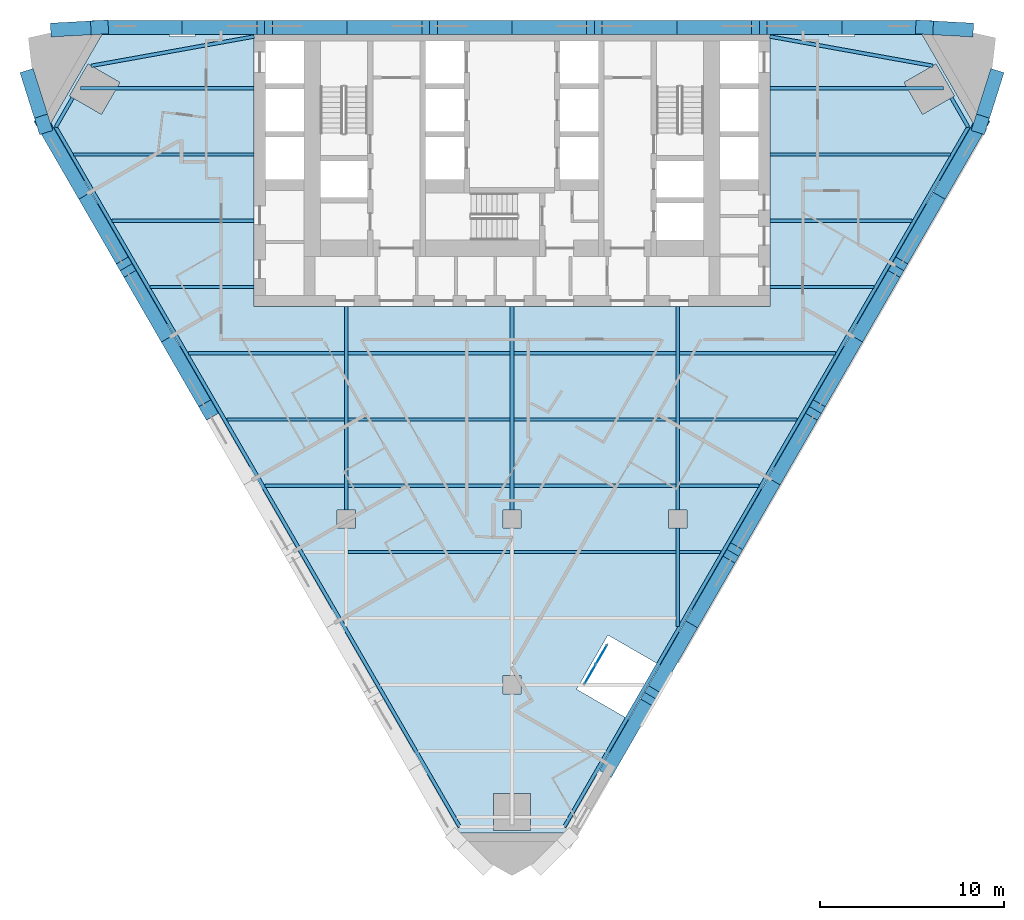
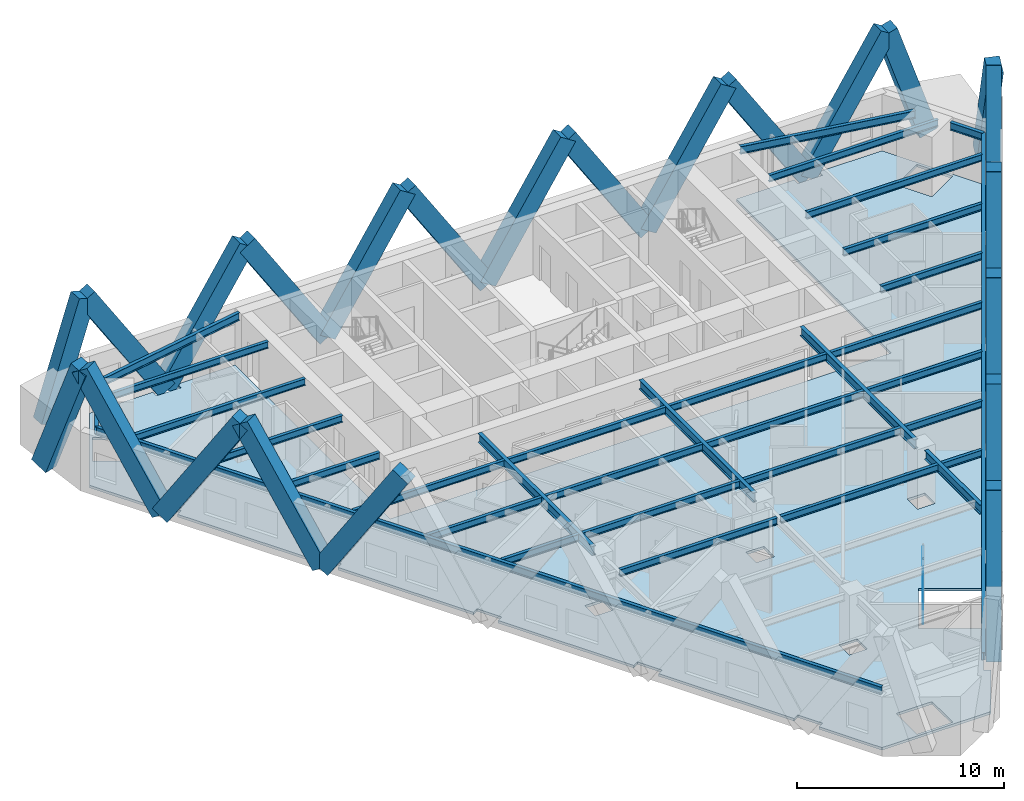
# One storey, part 3 of 12: 33 beams, 27 members, 4 plates, 1 slab, 1 element without a shape of its own.
"""IFC4 building model written with IfcOpenShell, lengths in metres."""

from ifc_helpers import new_model, si_unit, direction, frame, origin, origin_2d, place, context, subcontext, project, spatial, polyline, rectangle, i_section, outline, extrude, material, layer, layer_set, material_profile, profile_set, type_object, element, aggregate, save


model = new_model("IFC4")

# Units and contexts
model_context = context("Model", 3, precision=1e-05, world=origin(), true_north=direction((0.0, 1.0)))
body_context = subcontext(model_context, "Body", "Model", "MODEL_VIEW")
ifc_project = project(units=[si_unit("LENGTHUNIT", "METRE"), si_unit("AREAUNIT", "SQUARE_METRE"), si_unit("VOLUMEUNIT", "CUBIC_METRE"), si_unit("PLANEANGLEUNIT", "RADIAN"), si_unit("MASSUNIT", "GRAM", prefix="KILO")], contexts=[model_context])

# Site, building, storey
site_placement = place(None, origin())
site = spatial("IfcSite", under=ifc_project, at=site_placement, CompositionType="ELEMENT")
building_placement = place(site_placement, origin())
building = spatial("IfcBuilding", under=site, at=building_placement, Name="Aloe Facet Convention Tower", CompositionType="ELEMENT")
storey_placement = place(building_placement, frame((0.0, 0.0, 70.0)))
storey = spatial("IfcBuildingStorey", under=building, at=storey_placement, Name="L16", CompositionType="ELEMENT", Elevation=70.0)

# Beams
ifc_material_1 = material(Name="Steel S355", Category="steel")
ifc_material_profile_1 = material_profile(ifc_material_1, i_section(OverallWidth=0.177734375, OverallDepth=0.402587890625, WebThickness=0.0078125, FlangeThickness=0.010986328125, FilletRadius=0.01025390625, at=origin_2d()), Name="UB 406x178x54")
ifc_profile_set_1 = profile_set([ifc_material_profile_1], Name="Steel S355")
beam_type_1 = type_object("IfcBeamType", Name="SF-B-UB406x178x54", PredefinedType="BEAM", material=ifc_profile_set_1)
beam_1_placement = place(storey_placement, frame((56.194580078125, 127.800048828125, 3.148681640625), z_axis=(1.0, 0.0, 0.0), x_axis=(0.0, 1.0, 0.0)))
element("IfcBeam", 1, at=beam_1_placement, inside=storey, type_object=beam_type_1, Name="Floor beam FB-Z1B-016", PredefinedType="BEAM", context=body_context, shape_type="SweptSolid", body=[
    extrude(i_section(OverallWidth=0.177734375, OverallDepth=0.402587890625, WebThickness=0.0078125, FlangeThickness=0.010986328125, FilletRadius=0.01025390625, at=origin_2d()), origin(), (0.0, 0.0, 1.0), 9.805419921875),
])
beam_2_placement = place(storey_placement, frame((56.55908203125, 131.39990234375, 3.148681640625), z_axis=(1.0, 0.0, 0.0), x_axis=(0.0, 1.0, 0.0)))
element("IfcBeam", 2, at=beam_2_placement, inside=storey, type_object=beam_type_1, Name="Floor beam FB-Z1B-017", PredefinedType="BEAM", context=body_context, shape_type="SweptSolid", body=[
    extrude(i_section(OverallWidth=0.177734375, OverallDepth=0.402587890625, WebThickness=0.0078125, FlangeThickness=0.010986328125, FilletRadius=0.01025390625, at=origin_2d()), origin(), (0.0, 0.0, 1.0), 9.44091796875),
])
beam_3_placement = place(storey_placement, frame((58.27294921875, 124.199951171875, 3.148681640625), z_axis=(1.0, 0.0, 0.0), x_axis=(0.0, 1.0, 0.0)))
element("IfcBeam", 3, at=beam_3_placement, inside=storey, type_object=beam_type_1, Name="Floor beam FB-Z1B-018", PredefinedType="BEAM", context=body_context, shape_type="SweptSolid", body=[
    extrude(i_section(OverallWidth=0.177734375, OverallDepth=0.402587890625, WebThickness=0.0078125, FlangeThickness=0.010986328125, FilletRadius=0.01025390625, at=origin_2d()), origin(), (0.0, 0.0, 1.0), 7.72705078125),
])
beam_4_placement = place(storey_placement, frame((60.351318359375, 120.60009765625, 3.148681640625), z_axis=(1.0, 0.0, 0.0), x_axis=(0.0, 1.0, 0.0)))
element("IfcBeam", 4, at=beam_4_placement, inside=storey, type_object=beam_type_1, Name="Floor beam FB-Z1B-019", PredefinedType="BEAM", context=body_context, shape_type="SweptSolid", body=[
    extrude(i_section(OverallWidth=0.177734375, OverallDepth=0.402587890625, WebThickness=0.0078125, FlangeThickness=0.010986328125, FilletRadius=0.01025390625, at=origin_2d()), origin(), (0.0, 0.0, 1.0), 5.648681640625),
])
beam_5_placement = place(storey_placement, frame((62.429931640625, 117.0, 3.148681640625), z_axis=(1.0, 0.0, 0.0), x_axis=(0.0, 1.0, 0.0)))
element("IfcBeam", 5, at=beam_5_placement, inside=storey, type_object=beam_type_1, Name="Floor beam FB-Z1B-020", PredefinedType="BEAM", context=body_context, shape_type="SweptSolid", body=[
    extrude(i_section(OverallWidth=0.177734375, OverallDepth=0.402587890625, WebThickness=0.0078125, FlangeThickness=0.010986328125, FilletRadius=0.01025390625, at=origin_2d()), origin(), (0.0, 0.0, 1.0), 8.464599609375),
])
beam_6_placement = place(storey_placement, frame((64.50830078125, 113.39990234375, 3.148681640625), z_axis=(1.0, 0.0, 0.0), x_axis=(0.0, 1.0, 0.0)))
element("IfcBeam", 6, at=beam_6_placement, inside=storey, type_object=beam_type_1, Name="Floor beam FB-Z1B-021", PredefinedType="BEAM", context=body_context, shape_type="SweptSolid", body=[
    extrude(i_section(OverallWidth=0.177734375, OverallDepth=0.402587890625, WebThickness=0.0078125, FlangeThickness=0.010986328125, FilletRadius=0.01025390625, at=origin_2d()), origin(), (0.0, 0.0, 1.0), 6.38623046875),
])
beam_7_placement = place(storey_placement, frame((66.5869140625, 109.800048828125, 3.148681640625), z_axis=(1.0, 0.0, 0.0), x_axis=(0.0, 1.0, 0.0)))
element("IfcBeam", 7, at=beam_7_placement, inside=storey, type_object=beam_type_1, Name="Floor beam FB-Z1B-022", PredefinedType="BEAM", context=body_context, shape_type="SweptSolid", body=[
    extrude(i_section(OverallWidth=0.177734375, OverallDepth=0.402587890625, WebThickness=0.0078125, FlangeThickness=0.010986328125, FilletRadius=0.01025390625, at=origin_2d()), origin(), (0.0, 0.0, 1.0), 4.3076171875),
])
for number, where, z_axis, x_axis, name in (
    (8, (71.10546875, 106.199951171875, 3.148681640625), (1.0, 0.0, 0.0), (0.0, 1.0, 0.0), "Floor beam FB-Z1B-025"),
    (9, (71.10546875, 109.800048828125, 3.148681640625), (1.0, 0.0, 0.0), (0.0, 1.0, 0.0), "Floor beam FB-Z1B-026"),
    (10, (71.10546875, 113.39990234375, 3.148681640625), (1.0, 0.0, 0.0), (0.0, 1.0, 0.0), "Floor beam FB-Z1B-027"),
    (11, (71.10546875, 117.0, 3.148681640625), (1.0, 0.0, 0.0), (0.0, 1.0, 0.0), "Floor beam FB-Z1B-028"),
    (12, (80.10546875, 106.199951171875, 3.148681640625), (1.0, 0.0, 0.0), (0.0, 1.0, 0.0), "Floor beam FB-Z1B-035"),
    (13, (80.10546875, 109.800048828125, 3.148681640625), (1.0, 0.0, 0.0), (0.0, 1.0, 0.0), "Floor beam FB-Z1B-036"),
    (14, (80.10546875, 113.39990234375, 3.148681640625), (1.0, 0.0, 0.0), (0.0, 1.0, 0.0), "Floor beam FB-Z1B-037"),
    (15, (80.10546875, 117.0, 3.148681640625), (1.0, 0.0, 0.0), (0.0, 1.0, 0.0), "Floor beam FB-Z1B-038"),
):
    element("IfcBeam", number, at=place(storey_placement, frame(where, z_axis=z_axis, x_axis=x_axis)), inside=storey, type_object=beam_type_1, Name=name, PredefinedType="BEAM", context=body_context, shape_type="SweptSolid", body=[
        extrude(i_section(OverallWidth=0.177734375, OverallDepth=0.402587890625, WebThickness=0.0078125, FlangeThickness=0.010986328125, FilletRadius=0.01025390625, at=origin_2d()), origin(), (0.0, 0.0, 1.0), 8.7890625),
    ])
beam_8_placement = place(storey_placement, frame((89.10546875, 106.199951171875, 3.148681640625), z_axis=(1.0, 0.0, 0.0), x_axis=(0.0, 1.0, 0.0)))
element("IfcBeam", 16, at=beam_8_placement, inside=storey, type_object=beam_type_1, Name="Floor beam FB-Z1B-040", PredefinedType="BEAM", context=body_context, shape_type="SweptSolid", body=[
    extrude(i_section(OverallWidth=0.177734375, OverallDepth=0.402587890625, WebThickness=0.0078125, FlangeThickness=0.010986328125, FilletRadius=0.01025390625, at=origin_2d()), origin(), (0.0, 0.0, 1.0), 2.229248046875),
])
beam_9_placement = place(storey_placement, frame((89.10546875, 109.800048828125, 3.148681640625), z_axis=(1.0, 0.0, 0.0), x_axis=(0.0, 1.0, 0.0)))
element("IfcBeam", 17, at=beam_9_placement, inside=storey, type_object=beam_type_1, Name="Floor beam FB-Z1B-041", PredefinedType="BEAM", context=body_context, shape_type="SweptSolid", body=[
    extrude(i_section(OverallWidth=0.177734375, OverallDepth=0.402587890625, WebThickness=0.0078125, FlangeThickness=0.010986328125, FilletRadius=0.01025390625, at=origin_2d()), origin(), (0.0, 0.0, 1.0), 4.3076171875),
])
beam_10_placement = place(storey_placement, frame((89.10546875, 113.39990234375, 3.148681640625), z_axis=(1.0, 0.0, 0.0), x_axis=(0.0, 1.0, 0.0)))
element("IfcBeam", 18, at=beam_10_placement, inside=storey, type_object=beam_type_1, Name="Floor beam FB-Z1B-042", PredefinedType="BEAM", context=body_context, shape_type="SweptSolid", body=[
    extrude(i_section(OverallWidth=0.177734375, OverallDepth=0.402587890625, WebThickness=0.0078125, FlangeThickness=0.010986328125, FilletRadius=0.01025390625, at=origin_2d()), origin(), (0.0, 0.0, 1.0), 6.38623046875),
])
beam_11_placement = place(storey_placement, frame((89.10546875, 117.0, 3.148681640625), z_axis=(1.0, 0.0, 0.0), x_axis=(0.0, 1.0, 0.0)))
element("IfcBeam", 19, at=beam_11_placement, inside=storey, type_object=beam_type_1, Name="Floor beam FB-Z1B-043", PredefinedType="BEAM", context=body_context, shape_type="SweptSolid", body=[
    extrude(i_section(OverallWidth=0.177734375, OverallDepth=0.402587890625, WebThickness=0.0078125, FlangeThickness=0.010986328125, FilletRadius=0.01025390625, at=origin_2d()), origin(), (0.0, 0.0, 1.0), 8.464599609375),
])
beam_12_placement = place(storey_placement, frame((94.0, 120.60009765625, 3.148681640625), z_axis=(1.0, 0.0, 0.0), x_axis=(0.0, 1.0, 0.0)))
element("IfcBeam", 20, at=beam_12_placement, inside=storey, type_object=beam_type_1, Name="Floor beam FB-Z1B-044", PredefinedType="BEAM", context=body_context, shape_type="SweptSolid", body=[
    extrude(i_section(OverallWidth=0.177734375, OverallDepth=0.402587890625, WebThickness=0.0078125, FlangeThickness=0.010986328125, FilletRadius=0.01025390625, at=origin_2d()), origin(), (0.0, 0.0, 1.0), 5.648681640625),
])
beam_13_placement = place(storey_placement, frame((94.0, 124.199951171875, 3.148681640625), z_axis=(1.0, 0.0, 0.0), x_axis=(0.0, 1.0, 0.0)))
element("IfcBeam", 21, at=beam_13_placement, inside=storey, type_object=beam_type_1, Name="Floor beam FB-Z1B-045", PredefinedType="BEAM", context=body_context, shape_type="SweptSolid", body=[
    extrude(i_section(OverallWidth=0.177734375, OverallDepth=0.402587890625, WebThickness=0.0078125, FlangeThickness=0.010986328125, FilletRadius=0.01025390625, at=origin_2d()), origin(), (0.0, 0.0, 1.0), 7.72705078125),
])
beam_14_placement = place(storey_placement, frame((94.0, 127.800048828125, 3.148681640625), z_axis=(1.0, 0.0, 0.0), x_axis=(0.0, 1.0, 0.0)))
element("IfcBeam", 22, at=beam_14_placement, inside=storey, type_object=beam_type_1, Name="Floor beam FB-Z1B-046", PredefinedType="BEAM", context=body_context, shape_type="SweptSolid", body=[
    extrude(i_section(OverallWidth=0.177734375, OverallDepth=0.402587890625, WebThickness=0.0078125, FlangeThickness=0.010986328125, FilletRadius=0.01025390625, at=origin_2d()), origin(), (0.0, 0.0, 1.0), 9.805419921875),
])
beam_15_placement = place(storey_placement, frame((94.0, 131.39990234375, 3.148681640625), z_axis=(1.0, 0.0, 0.0), x_axis=(0.0, 1.0, 0.0)))
element("IfcBeam", 23, at=beam_15_placement, inside=storey, type_object=beam_type_1, Name="Floor beam FB-Z1B-047", PredefinedType="BEAM", context=body_context, shape_type="SweptSolid", body=[
    extrude(i_section(OverallWidth=0.177734375, OverallDepth=0.402587890625, WebThickness=0.0078125, FlangeThickness=0.010986328125, FilletRadius=0.01025390625, at=origin_2d()), origin(), (0.0, 0.0, 1.0), 9.44091796875),
])
ifc_material_2 = material(Name="Steel S355", Category="steel")
ifc_material_profile_2 = material_profile(ifc_material_2, i_section(OverallWidth=0.18994140625, OverallDepth=0.453369140625, WebThickness=0.008544921875, FlangeThickness=0.0126953125, FilletRadius=0.01025390625, at=origin_2d()), Name="UB 457x191x67")
ifc_profile_set_2 = profile_set([ifc_material_profile_2], Name="Steel S355")
beam_type_2 = type_object("IfcBeamType", Name="SF-B-UB457x191x67", PredefinedType="BEAM", material=ifc_profile_set_2)
beam_16_placement = place(storey_placement, frame((55.218017578125, 129.2841796875, 3.123291015625), z_axis=(0.499932904579, 0.866064137879, 0.0), x_axis=(-0.866064137879, 0.499932904579, 0.0)))
element("IfcBeam", 24, at=beam_16_placement, inside=storey, type_object=beam_type_2, Name="Floor beam FB-Z1B-001", PredefinedType="BEAM", context=body_context, shape_type="SweptSolid", body=[
    extrude(i_section(OverallWidth=0.18994140625, OverallDepth=0.453369140625, WebThickness=0.008544921875, FlangeThickness=0.0126953125, FilletRadius=0.01025390625, at=origin_2d()), origin(), (0.0, 0.0, 1.0), 1.841064453125),
])
beam_17_placement = place(storey_placement, frame((57.138427734375, 132.610595703125, 3.123291015625), z_axis=(0.984194951593, 0.177088388265, 0.0), x_axis=(-0.177088388265, 0.984194951593, 0.0)))
element("IfcBeam", 25, at=beam_17_placement, inside=storey, type_object=beam_type_2, Name="Floor beam FB-Z1B-002", PredefinedType="BEAM", context=body_context, shape_type="SweptSolid", body=[
    extrude(i_section(OverallWidth=0.18994140625, OverallDepth=0.453369140625, WebThickness=0.008544921875, FlangeThickness=0.0126953125, FilletRadius=0.01025390625, at=origin_2d()), origin(), (0.0, 0.0, 1.0), 9.00390625),
])
beam_18_placement = place(storey_placement, frame((77.158935546875, 91.28125, 3.123291015625), z_axis=(-0.499998569178, 0.866026229868, 0.0), x_axis=(-0.866026229868, -0.499998569178, 0.0)))
element("IfcBeam", 26, at=beam_18_placement, inside=storey, type_object=beam_type_2, Name="Floor beam FB-Z1B-003", PredefinedType="BEAM", context=body_context, shape_type="SweptSolid", body=[
    extrude(i_section(OverallWidth=0.18994140625, OverallDepth=0.453369140625, WebThickness=0.008544921875, FlangeThickness=0.0126953125, FilletRadius=0.01025390625, at=origin_2d()), origin(), (0.0, 0.0, 1.0), 43.882080078125),
])
beam_19_placement = place(storey_placement, frame((102.861572265625, 132.610595703125, 3.123291015625), z_axis=(-0.984194951593, 0.177088388265, 0.0), x_axis=(-0.177088388265, -0.984194951593, 0.0)))
element("IfcBeam", 27, at=beam_19_placement, inside=storey, type_object=beam_type_2, Name="Floor beam FB-Z1B-006", PredefinedType="BEAM", context=body_context, shape_type="SweptSolid", body=[
    extrude(i_section(OverallWidth=0.18994140625, OverallDepth=0.453369140625, WebThickness=0.008544921875, FlangeThickness=0.0126953125, FilletRadius=0.01025390625, at=origin_2d()), origin(), (0.0, 0.0, 1.0), 9.00390625),
])
beam_20_placement = place(storey_placement, frame((103.861572265625, 130.878662109375, 3.123291015625), z_axis=(0.499932904579, -0.866064137879, 0.0), x_axis=(0.866064137879, 0.499932904579, 0.0)))
element("IfcBeam", 28, at=beam_20_placement, inside=storey, type_object=beam_type_2, Name="Floor beam FB-Z1B-007", PredefinedType="BEAM", context=body_context, shape_type="SweptSolid", body=[
    extrude(i_section(OverallWidth=0.18994140625, OverallDepth=0.453369140625, WebThickness=0.008544921875, FlangeThickness=0.0126953125, FilletRadius=0.01025390625, at=origin_2d()), origin(), (0.0, 0.0, 1.0), 1.841064453125),
])
beam_21_placement = place(storey_placement, frame((104.781982421875, 129.2841796875, 3.123291015625), z_axis=(-0.499998569178, -0.866026229868, 0.0), x_axis=(0.866026229868, -0.499998569178, 0.0)))
element("IfcBeam", 29, at=beam_21_placement, inside=storey, type_object=beam_type_2, Name="Floor beam FB-Z1B-008", PredefinedType="BEAM", context=body_context, shape_type="SweptSolid", body=[
    extrude(i_section(OverallWidth=0.18994140625, OverallDepth=0.453369140625, WebThickness=0.008544921875, FlangeThickness=0.0126953125, FilletRadius=0.01025390625, at=origin_2d()), origin(), (0.0, 0.0, 1.0), 43.882080078125),
])
ifc_material_3 = material(Name="Steel S355", Category="steel")
ifc_material_profile_3 = material_profile(ifc_material_3, i_section(OverallWidth=0.210693359375, OverallDepth=0.53955078125, WebThickness=0.01171875, FlangeThickness=0.018798828125, FilletRadius=0.0126953125, at=origin_2d()), Name="UB 533x210x109")
ifc_profile_set_3 = profile_set([ifc_material_profile_3], Name="Steel S355")
beam_type_3 = type_object("IfcBeamType", Name="SF-B-UB533x210x109", PredefinedType="BEAM", material=ifc_profile_set_3)
for number, where, z_axis, x_axis, name in (
    (30, (71.0, 119.550048828125, 3.080078125), (0.0, -1.0, 0.0), (1.0, 0.0, 0.0), "Floor beam FB-Z1B-010"),
    (31, (80.0, 119.550048828125, 3.080078125), (0.0, -1.0, 0.0), (1.0, 0.0, 0.0), "Floor beam FB-Z1B-013"),
):
    element("IfcBeam", number, at=place(storey_placement, frame(where, z_axis=z_axis, x_axis=x_axis)), inside=storey, type_object=beam_type_3, Name=name, PredefinedType="BEAM", context=body_context, shape_type="SweptSolid", body=[
        extrude(i_section(OverallWidth=0.210693359375, OverallDepth=0.53955078125, WebThickness=0.01171875, FlangeThickness=0.018798828125, FilletRadius=0.0126953125, at=origin_2d()), origin(), (0.0, 0.0, 1.0), 11.050048828125),
    ])
beam_22_placement = place(storey_placement, frame((89.0, 107.5, 3.080078125), z_axis=(0.0, -1.0, 0.0), x_axis=(1.0, 0.0, 0.0)))
element("IfcBeam", 32, at=beam_22_placement, inside=storey, type_object=beam_type_3, Name="Floor beam FB-Z1B-014", PredefinedType="BEAM", context=body_context, shape_type="SweptSolid", body=[
    extrude(i_section(OverallWidth=0.210693359375, OverallDepth=0.53955078125, WebThickness=0.01171875, FlangeThickness=0.018798828125, FilletRadius=0.0126953125, at=origin_2d()), origin(), (0.0, 0.0, 1.0), 5.351318359375),
])
beam_23_placement = place(storey_placement, frame((89.0, 119.550048828125, 3.080078125), z_axis=(0.0, -1.0, 0.0), x_axis=(1.0, 0.0, 0.0)))
element("IfcBeam", 33, at=beam_23_placement, inside=storey, type_object=beam_type_3, Name="Floor beam FB-Z1B-015", PredefinedType="BEAM", context=body_context, shape_type="SweptSolid", body=[
    extrude(i_section(OverallWidth=0.210693359375, OverallDepth=0.53955078125, WebThickness=0.01171875, FlangeThickness=0.018798828125, FilletRadius=0.0126953125, at=origin_2d()), origin(), (0.0, 0.0, 1.0), 11.050048828125),
])

# Members
ifc_material_4 = material(Name="Concrete C60/75, bronze oxide finish", Category="concrete")
ifc_material_profile_4 = material_profile(ifc_material_4, rectangle(XDim=0.75, YDim=1.0, at=origin_2d()), Name="STW-LM")
ifc_profile_set_4 = profile_set([ifc_material_profile_4], Name="Concrete C60/75, bronze oxide finish")
member_type = type_object("IfcMemberType", Name="STW-LM", PredefinedType="BRACE", material=ifc_profile_set_4)
for number, where, z_axis, x_axis, name in (
    (34, (97.919921875, 134.699951171875, 0.0), (0.539052029218, 0.0, 0.84227246767), (0.0, 1.0, 0.0), "Lattice member LM-Z1-F1-R5-01"),
    (35, (97.919921875, 134.699951171875, 0.0), (-0.539052029218, 0.0, 0.84227246767), (0.0, -1.0, 0.0), "Lattice member LM-Z1-F1-R5-02"),
    (36, (88.9599609375, 134.699951171875, 0.0), (0.539052029218, 0.0, 0.84227246767), (0.0, 1.0, 0.0), "Lattice member LM-Z1-F1-R5-03"),
    (37, (88.9599609375, 134.699951171875, 0.0), (-0.539052029218, 0.0, 0.84227246767), (0.0, -1.0, 0.0), "Lattice member LM-Z1-F1-R5-04"),
    (38, (80.0, 134.699951171875, 0.0), (0.539052029218, 0.0, 0.84227246767), (0.0, 1.0, 0.0), "Lattice member LM-Z1-F1-R5-05"),
    (39, (80.0, 134.699951171875, 0.0), (-0.539052029218, 0.0, 0.84227246767), (0.0, -1.0, 0.0), "Lattice member LM-Z1-F1-R5-06"),
    (40, (71.0400390625, 134.699951171875, 0.0), (0.539052029218, 0.0, 0.84227246767), (0.0, 1.0, 0.0), "Lattice member LM-Z1-F1-R5-07"),
    (41, (71.0400390625, 134.699951171875, 0.0), (-0.539052029218, 0.0, 0.84227246767), (0.0, -1.0, 0.0), "Lattice member LM-Z1-F1-R5-08"),
    (42, (62.080078125, 134.699951171875, 0.0), (0.539052029218, 0.0, 0.84227246767), (0.0, 1.0, 0.0), "Lattice member LM-Z1-F1-R5-09"),
    (43, (62.080078125, 134.699951171875, 0.0), (-0.539052029218, 0.0, 0.84227246767), (0.0, -1.0, 0.0), "Lattice member LM-Z1-F1-R5-10"),
    (44, (56.7998046875, 125.554443359375, 0.0), (-0.269524411036, 0.466842718276, 0.842267456482), (-0.866031314237, -0.499989762656, 0.0), "Lattice member LM-Z1-F2-R5-01"),
    (45, (56.7998046875, 125.554443359375, 0.0), (0.269524411036, -0.466842718276, 0.842267456482), (0.866031314237, 0.499989762656, 0.0), "Lattice member LM-Z1-F2-R5-02"),
    (46, (61.27978515625, 117.794921875, 0.0), (-0.26952810724, 0.466819744104, 0.842279007171), (-0.866017690131, -0.500013360201, 0.0), "Lattice member LM-Z1-F2-R5-03"),
    (47, (61.27978515625, 117.794921875, 0.0), (0.269524411036, -0.466842718276, 0.842267456482), (0.866031314237, 0.499989762656, 0.0), "Lattice member LM-Z1-F2-R5-04"),
    (48, (85.2802734375, 94.51611328125, 0.0), (0.269524411036, 0.466842718276, 0.842267456482), (-0.866031314237, 0.499989762656, 0.0), "Lattice member LM-Z1-F3-R5-02"),
    (49, (89.76025390625, 102.275634765625, 0.0), (-0.26952810724, -0.466819744104, 0.842279007171), (0.866017690131, -0.500013360201, 0.0), "Lattice member LM-Z1-F3-R5-03"),
    (50, (89.76025390625, 102.275634765625, 0.0), (0.269524411036, 0.466842718276, 0.842267456482), (-0.866031314237, 0.499989762656, 0.0), "Lattice member LM-Z1-F3-R5-04"),
    (51, (94.240234375, 110.03515625, 0.0), (-0.26952810724, -0.466819744104, 0.842279007171), (0.866017690131, -0.500013360201, 0.0), "Lattice member LM-Z1-F3-R5-05"),
    (52, (94.240234375, 110.03515625, 0.0), (0.269524411036, 0.466842718276, 0.842267456482), (-0.866031314237, 0.499989762656, 0.0), "Lattice member LM-Z1-F3-R5-06"),
    (53, (98.72021484375, 117.794921875, 0.0), (-0.269524411036, -0.466842718276, 0.842267456482), (0.866031314237, -0.499989762656, 0.0), "Lattice member LM-Z1-F3-R5-07"),
    (54, (98.72021484375, 117.794921875, 0.0), (0.26952810724, 0.466819744104, 0.842279007171), (-0.866017690131, 0.500013360201, 0.0), "Lattice member LM-Z1-F3-R5-08"),
    (55, (103.2001953125, 125.554443359375, 0.0), (-0.269524411036, -0.466842718276, 0.842267456482), (0.866031314237, -0.499989762656, 0.0), "Lattice member LM-Z1-F3-R5-09"),
    (56, (103.2001953125, 125.554443359375, 0.0), (0.269524411036, 0.466842718276, 0.842267456482), (-0.866031314237, 0.499989762656, 0.0), "Lattice member LM-Z1-F3-R5-10"),
):
    element("IfcMember", number, at=place(storey_placement, frame(where, z_axis=z_axis, x_axis=x_axis)), inside=storey, type_object=member_type, Name=name, PredefinedType="BRACE", context=body_context, shape_type="SweptSolid", body=[
        extrude(rectangle(XDim=0.75, YDim=1.0, at=origin_2d()), origin(), (0.0, 0.0, 1.0), 8.310791015625),
    ])
member_1_placement = place(storey_placement, frame((106.2236328125, 131.90478515625, 0.095703125), z_axis=(-0.106234388345, -0.334990893007, 0.93621330707), x_axis=(0.953216073686, -0.30228978955, 0.0)))
element("IfcMember", 57, at=member_1_placement, inside=storey, type_object=member_type, Name="Lattice member LM-Z1-F6-R4-05", PredefinedType="BRACE", context=body_context, shape_type="SweptSolid", body=[
    extrude(rectangle(XDim=0.75, YDim=1.0, at=origin_2d()), origin(), (0.0, 0.0, 1.0), 7.374755859375),
])
for number, where, z_axis, x_axis, name in (
    (58, (104.580078125, 134.579345703125, 0.406005859375), (-0.313869947031, 0.017363018346, 0.949307211573), (-0.055234698656, -0.998473398777, 0.0), "Lattice member LM-Z1-F6-R4-06"),
    (59, (55.419921875, 134.579345703125, 0.406005859375), (0.313869947031, 0.017363018346, 0.949307211573), (-0.055234698656, 0.998473398777, 0.0), "Lattice member LM-Z1-F4-R4-05"),
):
    element("IfcMember", number, at=place(storey_placement, frame(where, z_axis=z_axis, x_axis=x_axis)), inside=storey, type_object=member_type, Name=name, PredefinedType="BRACE", context=body_context, shape_type="SweptSolid", body=[
        extrude(rectangle(XDim=0.75, YDim=1.0, at=origin_2d()), origin(), (0.0, 0.0, 1.0), 6.946044921875),
    ])
member_2_placement = place(storey_placement, frame((53.7763671875, 131.90478515625, 0.095703125), z_axis=(0.106234388345, -0.334990893007, 0.93621330707), x_axis=(0.953216073686, 0.30228978955, 0.0)))
element("IfcMember", 60, at=member_2_placement, inside=storey, type_object=member_type, Name="Lattice member LM-Z1-F4-R4-06", PredefinedType="BRACE", context=body_context, shape_type="SweptSolid", body=[
    extrude(rectangle(XDim=0.75, YDim=1.0, at=origin_2d()), origin(), (0.0, 0.0, 1.0), 7.374755859375),
])

# Curtain wall, plates
ifc_material_5 = material(Name="Aluminium, anodised", Category="aluminium")
curtain_wall_type = type_object("IfcCurtainWallType", Name="EV-CW-TERRACE", PredefinedType="USERDEFINED", material=ifc_material_5)
curtain_wall_placement = place(storey_placement, origin())
curtain_wall = element("IfcCurtainWall", 61, at=curtain_wall_placement, inside=storey, type_object=curtain_wall_type, Name="CW-T03", ObjectType="TERRACE BACK GLAZING", PredefinedType="USERDEFINED")
ifc_material_6 = material(Name="Clear double glazing", Category="glass")
ifc_layer_1 = layer(ifc_material_6, 0.028076171875)
ifc_layer_set_1 = layer_set([ifc_layer_1], Name="EV-PANEL-TERRACE")
plate_type = type_object("IfcPlateType", Name="EV-PANEL-TERRACE", PredefinedType="CURTAIN_PANEL", material=ifc_layer_set_1)
plate_1_placement = place(storey_placement, frame((84.2490234375, 99.580078125, -0.08984375), z_axis=(0.0, 0.0, 1.0), x_axis=(0.500000000076, 0.866025403741, 0.0)))
plate_1 = element("IfcPlate", 62, at=plate_1_placement, type_object=plate_type, Name="CW-T03 panel 1.1", PredefinedType="CURTAIN_PANEL", context=body_context, shape_type="SweptSolid", body=[
    extrude(rectangle(XDim=1.159912109375, YDim=0.028076171875, at=origin_2d()), origin(), (0.0, 0.0, 1.0), 1.458740234375),
])
plate_2_placement = place(storey_placement, frame((84.2490234375, 99.580078125, 1.4287109375), z_axis=(0.0, 0.0, 1.0), x_axis=(0.500000000076, 0.866025403741, 0.0)))
plate_2 = element("IfcPlate", 63, at=plate_2_placement, type_object=plate_type, Name="CW-T03 panel 1.2", PredefinedType="CURTAIN_PANEL", context=body_context, shape_type="SweptSolid", body=[
    extrude(rectangle(XDim=1.159912109375, YDim=0.028076171875, at=origin_2d()), origin(), (0.0, 0.0, 1.0), 1.458740234375),
])
plate_3_placement = place(storey_placement, frame((84.859130859375, 100.63671875, -0.08984375), z_axis=(0.0, 0.0, 1.0), x_axis=(0.500000000076, 0.866025403741, 0.0)))
plate_3 = element("IfcPlate", 64, at=plate_3_placement, type_object=plate_type, Name="CW-T03 panel 2.1", PredefinedType="CURTAIN_PANEL", context=body_context, shape_type="SweptSolid", body=[
    extrude(rectangle(XDim=1.159912109375, YDim=0.028076171875, at=origin_2d()), origin(), (0.0, 0.0, 1.0), 1.458740234375),
])
plate_4_placement = place(storey_placement, frame((84.859130859375, 100.63671875, 1.4287109375), z_axis=(0.0, 0.0, 1.0), x_axis=(0.500000000076, 0.866025403741, 0.0)))
plate_4 = element("IfcPlate", 65, at=plate_4_placement, type_object=plate_type, Name="CW-T03 panel 2.2", PredefinedType="CURTAIN_PANEL", context=body_context, shape_type="SweptSolid", body=[
    extrude(rectangle(XDim=1.159912109375, YDim=0.028076171875, at=origin_2d()), origin(), (0.0, 0.0, 1.0), 1.458740234375),
])
aggregate(curtain_wall, [plate_1, plate_2, plate_3, plate_4])

# Slab
ifc_material_7 = material(Name="Concrete C35/45", Category="concrete")
ifc_layer_2 = layer(ifc_material_7, 0.14990234375)
ifc_layer_set_2 = layer_set([ifc_layer_2], Name="SF-FS-150")
slab_type = type_object("IfcSlabType", Name="SF-FS-150", PredefinedType="FLOOR", material=ifc_layer_set_2)
slab_placement = place(storey_placement, frame((0.0, 0.0, -0.14990234375)))
element("IfcSlab", 66, at=slab_placement, inside=storey, type_object=slab_type, Name="Floor slab L16-1", PredefinedType="FLOOR", context=body_context, shape_type="SweptSolid", body=[
    extrude(outline(polyline([(76.959716796875, 90.936279296875), (75.194580078125, 93.993896484375), (75.49755859375, 94.168701171875), (75.03564453125, 94.968994140625), (74.80810546875, 95.36328125), (74.5048828125, 95.188232421875), (70.714599609375, 101.75341796875), (71.017578125, 101.928466796875), (70.59326171875, 102.66357421875), (70.327880859375, 103.122802734375), (70.02490234375, 102.947998046875), (66.234619140625, 109.512939453125), (66.53759765625, 109.68798828125), (66.489501953125, 109.771240234375), (66.4228515625, 109.88671875), (66.07568359375, 110.48828125), (65.847900390625, 110.882568359375), (65.544921875, 110.70751953125), (61.75439453125, 117.272705078125), (62.0576171875, 117.447509765625), (61.8544921875, 117.79931640625), (61.712890625, 118.044921875), (61.477294921875, 118.452880859375), (61.367919921875, 118.64208984375), (61.06494140625, 118.467041015625), (57.2744140625, 125.0322265625), (57.57763671875, 125.207275390625), (57.529541015625, 125.290283203125), (57.35302734375, 125.59619140625), (57.35009765625, 125.6015625), (57.35009765625, 125.6015625), (56.887939453125, 126.401611328125), (56.5849609375, 126.226806640625), (54.819580078125, 129.2841796875), (57.85986328125, 134.550048828125), (61.390380859375, 134.550048828125), (61.390380859375, 134.199951171875), (61.486328125, 134.199951171875), (61.845703125, 134.199951171875), (62.080078125, 134.199951171875), (62.314453125, 134.199951171875), (62.673583984375, 134.199951171875), (62.76953125, 134.199951171875), (62.76953125, 134.550048828125), (66.0, 134.550048828125), (66.0, 131.949951171875), (66.0, 131.050048828125), (66.0, 129.35009765625), (66.0, 128.449951171875), (66.0, 126.449951171875), (66.0, 125.85009765625), (66.0, 123.57373046875), (66.0, 122.523681640625), (66.0, 119.550048828125), (68.699951171875, 119.550048828125), (69.300048828125, 119.550048828125), (72.10009765625, 119.550048828125), (73.14990234375, 119.550048828125), (74.300048828125, 119.550048828125), (75.35009765625, 119.550048828125), (76.433349609375, 119.550048828125), (77.4833984375, 119.550048828125), (78.566650390625, 119.550048828125), (79.61669921875, 119.550048828125), (80.699951171875, 119.550048828125), (81.75, 119.550048828125), (82.64990234375, 119.550048828125), (83.699951171875, 119.550048828125), (84.64990234375, 119.550048828125), (85.699951171875, 119.550048828125), (86.85009765625, 119.550048828125), (87.89990234375, 119.550048828125), (90.699951171875, 119.550048828125), (91.300048828125, 119.550048828125), (94.0, 119.550048828125), (94.0, 121.7841796875), (94.0, 122.834228515625), (94.0, 123.923583984375), (94.0, 124.9736328125), (94.0, 125.85009765625), (94.0, 126.449951171875), (94.0, 128.449951171875), (94.0, 129.35009765625), (94.0, 131.050048828125), (94.0, 131.949951171875), (94.0, 134.550048828125), (97.23046875, 134.550048828125), (97.23046875, 134.199951171875), (97.326416015625, 134.199951171875), (97.685546875, 134.199951171875), (97.919921875, 134.199951171875), (98.154296875, 134.199951171875), (98.513671875, 134.199951171875), (98.609619140625, 134.199951171875), (98.609619140625, 134.550048828125), (102.14013671875, 134.550048828125), (105.180419921875, 129.2841796875), (103.4150390625, 126.226806640625), (103.112060546875, 126.401611328125), (103.06396484375, 126.318603515625), (102.91162109375, 126.0546875), (102.884521484375, 126.00732421875), (102.595703125, 125.50732421875), (102.470458984375, 125.290283203125), (102.42236328125, 125.207275390625), (102.7255859375, 125.0322265625), (98.93505859375, 118.467041015625), (98.632080078125, 118.64208984375), (98.583984375, 118.55908203125), (98.287109375, 118.044921875), (97.990478515625, 117.53076171875), (97.9423828125, 117.447509765625), (98.24560546875, 117.272705078125), (94.455078125, 110.70751953125), (94.152099609375, 110.882568359375), (94.077392578125, 110.75341796875), (93.92431640625, 110.48828125), (93.849853515625, 110.359130859375), (93.80712890625, 110.285400390625), (93.510498046875, 109.771240234375), (93.46240234375, 109.68798828125), (93.765380859375, 109.512939453125), (89.97509765625, 102.947998046875), (89.672119140625, 103.122802734375), (89.6240234375, 103.039794921875), (89.3271484375, 102.525634765625), (89.2099609375, 102.32275390625), (89.030517578125, 102.01171875), (88.982421875, 101.928466796875), (89.285400390625, 101.75341796875), (88.240234375, 99.943115234375), (85.209228515625, 101.693115234375), (83.50927734375, 98.74853515625), (86.540283203125, 96.99853515625), (85.4951171875, 95.188232421875), (85.19189453125, 95.36328125), (85.0771484375, 95.16455078125), (84.84716796875, 94.76611328125), (84.55029296875, 94.251953125), (84.50244140625, 94.168701171875), (84.805419921875, 93.993896484375), (83.040283203125, 90.936279296875), (76.959716796875, 90.936279296875)]), holes=[polyline([(57.70166015625, 129.97607421875), (58.70166015625, 131.7080078125), (56.969482421875, 132.7080078125), (55.969482421875, 130.97607421875), (57.70166015625, 129.97607421875)]), polyline([(79.0, 93.086181640625), (79.0, 91.086181640625), (81.0, 91.086181640625), (81.0, 93.086181640625), (79.0, 93.086181640625)]), polyline([(79.5, 99.5), (79.5, 98.5), (80.5, 98.5), (80.5, 99.5), (79.5, 99.5)]), polyline([(70.5, 108.5), (70.5, 107.5), (71.5, 107.5), (71.5, 108.5), (70.5, 108.5)]), polyline([(79.5, 107.5), (80.5, 107.5), (80.5, 108.5), (79.5, 108.5), (79.5, 107.5)]), polyline([(88.5, 107.5), (89.5, 107.5), (89.5, 108.5), (88.5, 108.5), (88.5, 107.5)]), polyline([(102.29833984375, 129.97607421875), (104.030517578125, 130.97607421875), (103.030517578125, 132.7080078125), (101.29833984375, 131.7080078125), (102.29833984375, 129.97607421875)])]), origin(), (0.0, 0.0, 1.0), 0.14990234375),
])

save(model, "model.ifc")
